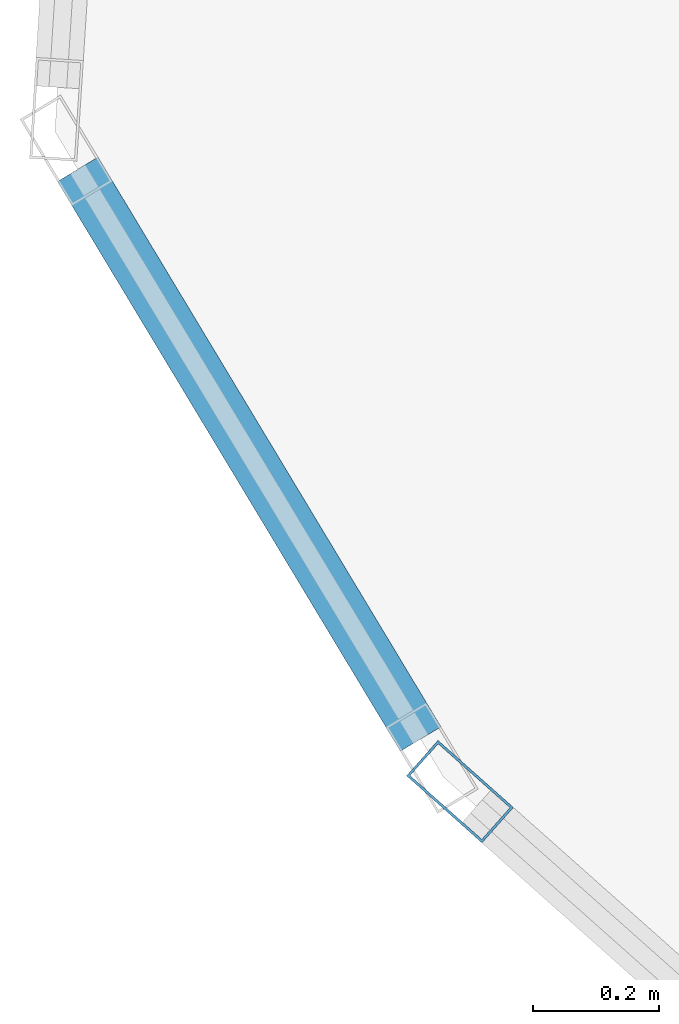
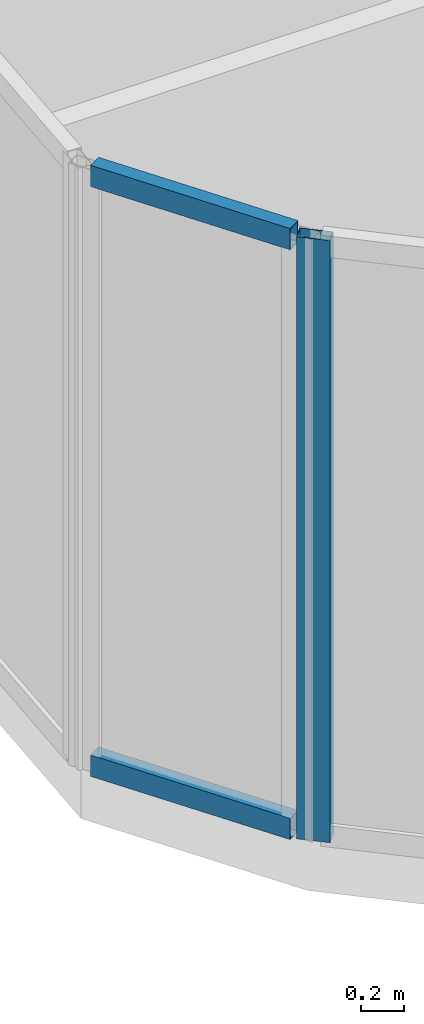
# One storey, part 4 of 31: 3 members, 2 elements without a shape of their own.
"""IFC4 building model written with IfcOpenShell, lengths in metres."""

from ifc_helpers import new_model, si_unit, direction, frame, origin, origin_2d, place, context, subcontext, project, spatial, hollow_rectangle, extrude, material, layer, layer_set, material_profile, profile_set, type_object, element, aggregate, save


model = new_model("IFC4")

# Units and contexts
model_context = context("Model", 3, precision=1e-05, world=origin(), true_north=direction((0.0, 1.0)))
body_context = subcontext(model_context, "Body", "Model", "MODEL_VIEW")
ifc_project = project(units=[si_unit("LENGTHUNIT", "METRE"), si_unit("AREAUNIT", "SQUARE_METRE"), si_unit("VOLUMEUNIT", "CUBIC_METRE"), si_unit("PLANEANGLEUNIT", "RADIAN"), si_unit("MASSUNIT", "GRAM", prefix="KILO")], contexts=[model_context])

# Site, building, storey
site_placement = place(None, origin())
site = spatial("IfcSite", under=ifc_project, at=site_placement, CompositionType="ELEMENT")
building_placement = place(site_placement, origin())
building = spatial("IfcBuilding", under=site, at=building_placement, Name="Keshet Zoharim Tower", CompositionType="ELEMENT")
storey_placement = place(building_placement, frame((0.0, 0.0, 276.89990234375)))
storey = spatial("IfcBuildingStorey", under=building, at=storey_placement, Name="L69", CompositionType="ELEMENT", Elevation=276.89990234375)

# Curtain wall, member
ifc_material = material(Name="Aluminium 6063-T6", Category="aluminium")
ifc_layer = layer(ifc_material, 0.260009765625)
ifc_layer_set = layer_set([ifc_layer], Name="Aluminium 6063-T6")
curtain_wall_type = type_object("IfcCurtainWallType", Name="CW-SYS-06", PredefinedType="NOTDEFINED", material=ifc_layer_set)
curtain_wall_1_placement = place(storey_placement, origin())
curtain_wall_1 = element("IfcCurtainWall", 1, at=curtain_wall_1_placement, inside=storey, type_object=curtain_wall_type, Name="L69 Unitised Curtain Wall 16 Part 4", PredefinedType="NOTDEFINED")
ifc_material_profile_1 = material_profile(ifc_material, hollow_rectangle(XDim=0.074951171875, YDim=0.159912109375, WallThickness=0.00390625, at=origin_2d()), Name="MUL-75x160")
ifc_profile_set_1 = profile_set([ifc_material_profile_1], Name="Aluminium 6063-T6")
member_type_1 = type_object("IfcMemberType", Name="CWM-M15", PredefinedType="MULLION", material=ifc_profile_set_1)
member_1_placement = place(storey_placement, frame((4.061279296875, 21.7568359375, 0.0), z_axis=(0.0, 0.0, 1.0), x_axis=(-0.664363838836, -0.747409318679, 0.0)))
member_1 = element("IfcMember", 2, at=member_1_placement, type_object=member_type_1, Name="CW-06 mullion 2", PredefinedType="MULLION", context=body_context, shape_type="SweptSolid", body=[
    extrude(hollow_rectangle(XDim=0.074951171875, YDim=0.159912109375, WallThickness=0.00390625, at=origin_2d()), origin(), (0.0, 0.0, 1.0), 3.39013671875),
])
aggregate(curtain_wall_1, [member_1])

# Curtain wall, members
curtain_wall_2_placement = place(storey_placement, origin())
curtain_wall_2 = element("IfcCurtainWall", 3, at=curtain_wall_2_placement, inside=storey, type_object=curtain_wall_type, Name="L69 Unitised Curtain Wall 01", PredefinedType="NOTDEFINED")
ifc_material_profile_2 = material_profile(ifc_material, hollow_rectangle(XDim=0.074951171875, YDim=0.1201171875, WallThickness=0.00390625, at=origin_2d()), Name="TRN-75x120")
ifc_profile_set_2 = profile_set([ifc_material_profile_2], Name="Aluminium 6063-T6")
member_type_2 = type_object("IfcMemberType", Name="CWT-T12", PredefinedType="USERDEFINED", material=ifc_profile_set_2)
member_2_placement = place(storey_placement, frame((3.9990234375, 21.840087890625, 0.03515625), z_axis=(-0.515791194107, 0.856714330499, 0.0), x_axis=(-0.856714330499, -0.515791194107, 0.0)))
member_2 = element("IfcMember", 4, at=member_2_placement, type_object=member_type_2, Name="CW-06 transom 1.1", ObjectType="TRANSOM", PredefinedType="USERDEFINED", context=body_context, shape_type="SweptSolid", body=[
    extrude(hollow_rectangle(XDim=0.074951171875, YDim=0.1201171875, WallThickness=0.00390625, at=origin_2d()), origin(), (0.0, 0.0, 1.0), 1.052734375),
])
member_3_placement = place(storey_placement, frame((3.9990234375, 21.840087890625, 3.35498046875), z_axis=(-0.515791194107, 0.856714330499, 0.0), x_axis=(-0.856714330499, -0.515791194107, 0.0)))
member_3 = element("IfcMember", 5, at=member_3_placement, type_object=member_type_2, Name="CW-06 transom 1.2", ObjectType="TRANSOM", PredefinedType="USERDEFINED", context=body_context, shape_type="SweptSolid", body=[
    extrude(hollow_rectangle(XDim=0.074951171875, YDim=0.1201171875, WallThickness=0.00390625, at=origin_2d()), origin(), (0.0, 0.0, 1.0), 1.052734375),
])
aggregate(curtain_wall_2, [member_2, member_3])

save(model, "model.ifc")
